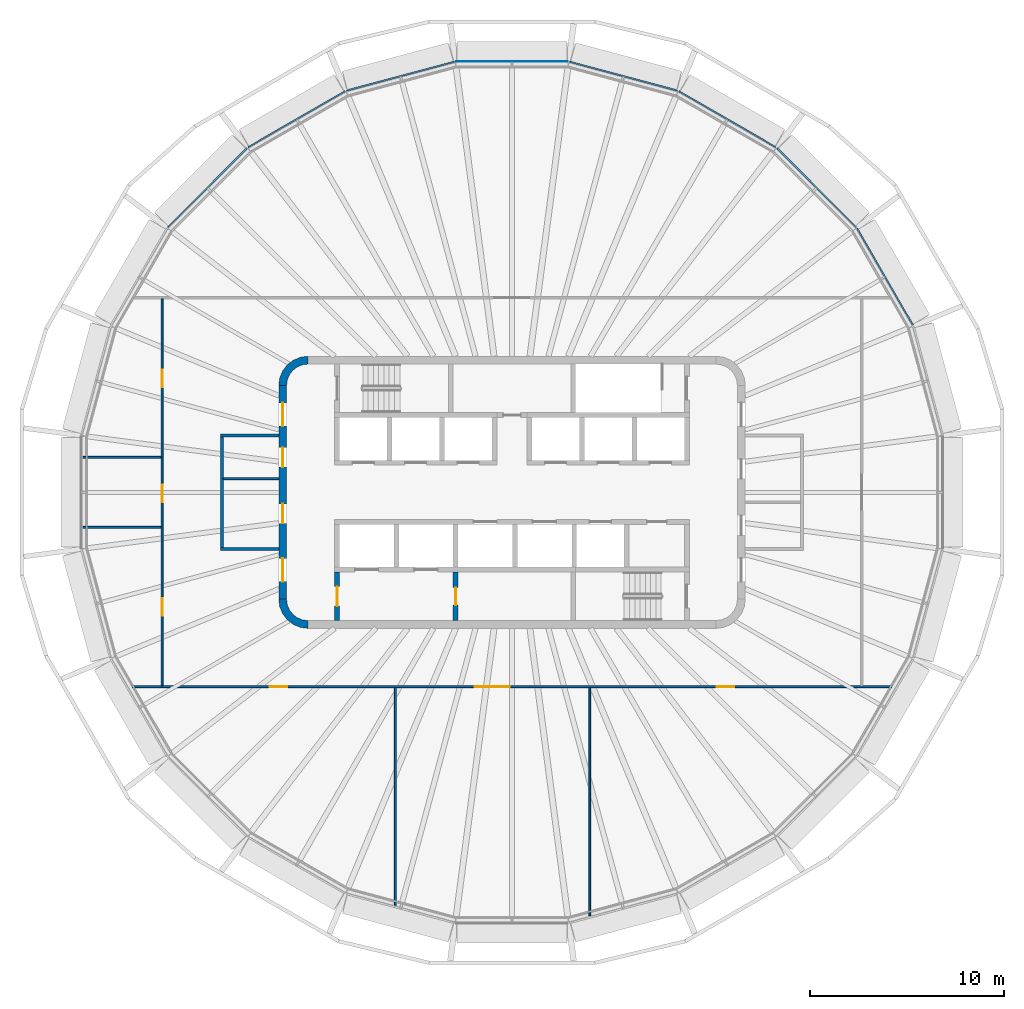
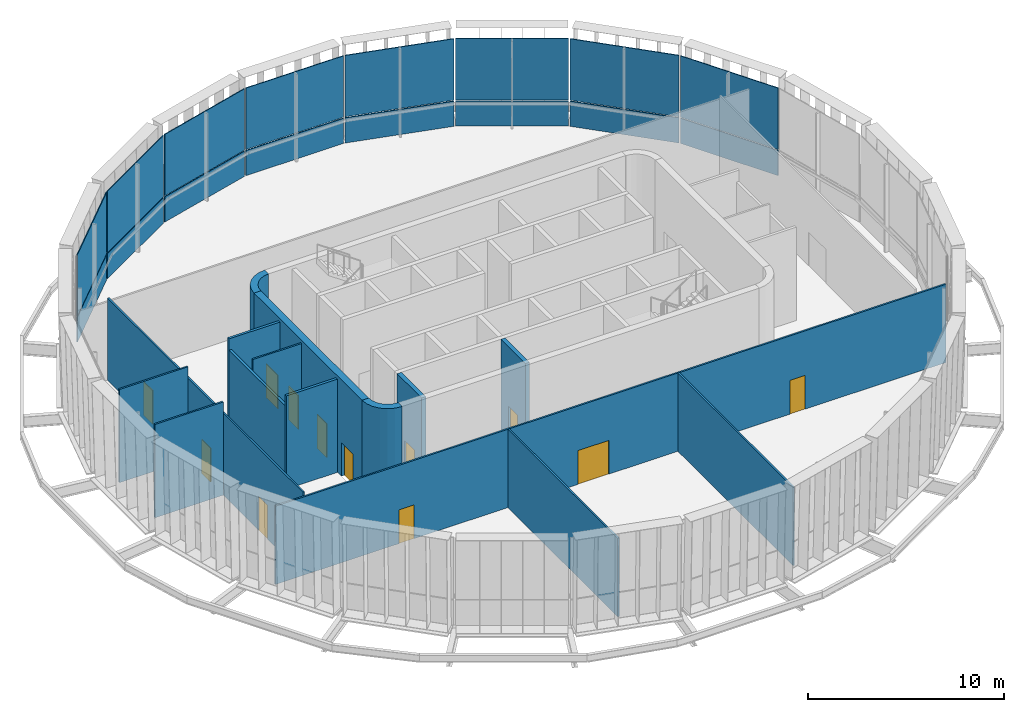
# One storey, part 6 of 14: 16 plates, 15 walls, 12 doors, 12 openings, 8 elements without a shape of their own.
"""IFC4 building model written with IfcOpenShell, lengths in metres."""

from ifc_helpers import new_model, si_unit, direction, frame, frame_2d, origin, place, context, subcontext, project, spatial, polyline, rectangle, outline, extrude, material, layer, layer_set, type_object, element, fill, aggregate, save


model = new_model("IFC4")

# Units and contexts
model_context = context("Model", 3, precision=1e-05, world=origin(), true_north=direction((0.0, 1.0)))
body_context = subcontext(model_context, "Body", "Model", "MODEL_VIEW")
ifc_project = project(units=[si_unit("LENGTHUNIT", "METRE"), si_unit("AREAUNIT", "SQUARE_METRE"), si_unit("VOLUMEUNIT", "CUBIC_METRE"), si_unit("PLANEANGLEUNIT", "RADIAN"), si_unit("MASSUNIT", "GRAM", prefix="KILO")], contexts=[model_context])

# Site, building, storey
site_placement = place(None, origin())
site = spatial("IfcSite", under=ifc_project, at=site_placement, CompositionType="ELEMENT")
building_placement = place(site_placement, origin())
building = spatial("IfcBuilding", under=site, at=building_placement, Name="Sahrelin Media Tower", CompositionType="ELEMENT")
storey_placement = place(building_placement, frame((0.0, 0.0, 329.800048828125)))
storey = spatial("IfcBuildingStorey", under=building, at=storey_placement, Name="L73", CompositionType="ELEMENT", Elevation=329.800048828125)

# Curtain wall, plates
ifc_material_1 = material(Name="Champagne anodised aluminium 6063-T6", Category="aluminium")
ifc_layer_1 = layer(ifc_material_1, 0.14990234375)
ifc_layer_set_1 = layer_set([ifc_layer_1], Name="Observation curtain wall")
curtain_wall_type = type_object("IfcCurtainWallType", Name="Observation curtain wall", PredefinedType="NOTDEFINED", material=ifc_layer_set_1)
curtain_wall_1_placement = place(storey_placement, frame((19.200439453125, 11.08544921875, 0.0), z_axis=(0.0, 0.0, 1.0), x_axis=(1.0, 0.0, 0.0)))
curtain_wall_1 = element("IfcCurtainWall", 1, at=curtain_wall_1_placement, inside=storey, type_object=curtain_wall_type, Name="L73:CW:L73-02", PredefinedType="NOTDEFINED")
ifc_material_2 = material(Name="Clear low-iron glazing", Category="glass")
ifc_layer_2 = layer(ifc_material_2, 0.050048828125)
ifc_layer_set_2 = layer_set([ifc_layer_2], Name="Glazing panel 50 mm CW3B")
plate_type = type_object("IfcPlateType", Name="Glazing panel 50 mm CW3B", PredefinedType="CURTAIN_PANEL", material=ifc_layer_set_2)
plate_1_placement = place(storey_placement, frame((20.652099609375, 8.61083984375, 0.0), z_axis=(0.866040328277, 0.49997414913, 0.0), x_axis=(-0.49997414913, 0.866040328277, 0.0)))
plate_1 = element("IfcPlate", 2, at=plate_1_placement, type_object=plate_type, Name="L73:CWP1:L73-02", PredefinedType="CURTAIN_PANEL", context=body_context, shape_type="SweptSolid", body=[
    extrude(outline(polyline([(0.0, 0.0), (5.737548828125, 0.0), (5.737548828125, 1.570068359375), (0.0, 1.570068359375), (0.0, 0.0)])), origin(), (0.0, 0.0, -1.0), 0.050048828125),
])
plate_2_placement = place(storey_placement, frame((20.652099609375, 8.61083984375, 1.6298828125), z_axis=(0.866040328277, 0.49997414913, 0.0), x_axis=(-0.49997414913, 0.866040328277, 0.0)))
plate_2 = element("IfcPlate", 3, at=plate_2_placement, type_object=plate_type, Name="L73:CWP2:L73-02", PredefinedType="CURTAIN_PANEL", context=body_context, shape_type="SweptSolid", body=[
    extrude(outline(polyline([(0.0, 0.0), (5.737548828125, 0.0), (5.737548828125, 3.818603515625), (0.0, 3.818603515625), (0.0, 0.0)])), origin(), (0.0, 0.0, -1.0), 0.050048828125),
])
aggregate(curtain_wall_1, [plate_1, plate_2])

curtain_wall_2_placement = place(storey_placement, frame((15.67724609375, 15.67724609375, 0.0), z_axis=(0.0, 0.0, 1.0), x_axis=(1.0, 0.0, 0.0)))
curtain_wall_2 = element("IfcCurtainWall", 4, at=curtain_wall_2_placement, inside=storey, type_object=curtain_wall_type, Name="L73:CW:L73-03", PredefinedType="NOTDEFINED")
plate_3_placement = place(storey_placement, frame((17.719970703125, 13.66259765625, 0.0), z_axis=(0.707106781187, 0.707106781187, 0.0), x_axis=(-0.707106781187, 0.707106781187, 0.0)))
plate_3 = element("IfcPlate", 5, at=plate_3_placement, type_object=plate_type, Name="L73:CWP1:L73-03", PredefinedType="CURTAIN_PANEL", context=body_context, shape_type="SweptSolid", body=[
    extrude(outline(polyline([(0.0, 0.0), (5.738037109375, 0.0), (5.738037109375, 1.570068359375), (0.0, 1.570068359375), (0.0, 0.0)])), origin(), (0.0, 0.0, -1.0), 0.050048828125),
])
plate_4_placement = place(storey_placement, frame((17.719970703125, 13.66259765625, 1.6298828125), z_axis=(0.707106781187, 0.707106781187, 0.0), x_axis=(-0.707106781187, 0.707106781187, 0.0)))
plate_4 = element("IfcPlate", 6, at=plate_4_placement, type_object=plate_type, Name="L73:CWP2:L73-03", PredefinedType="CURTAIN_PANEL", context=body_context, shape_type="SweptSolid", body=[
    extrude(outline(polyline([(0.0, 0.0), (5.738037109375, 0.0), (5.738037109375, 3.818603515625), (0.0, 3.818603515625), (0.0, 0.0)])), origin(), (0.0, 0.0, -1.0), 0.050048828125),
])
aggregate(curtain_wall_2, [plate_3, plate_4])

curtain_wall_3_placement = place(storey_placement, frame((11.08544921875, 19.200439453125, 0.0), z_axis=(0.0, 0.0, 1.0), x_axis=(1.0, 0.0, 0.0)))
curtain_wall_3 = element("IfcCurtainWall", 7, at=curtain_wall_3_placement, inside=storey, type_object=curtain_wall_type, Name="L73:CW:L73-04", PredefinedType="NOTDEFINED")
plate_5_placement = place(storey_placement, frame((13.579833984375, 17.783447265625, 0.0), z_axis=(0.49997414913, 0.866040328277, 0.0), x_axis=(-0.866040328277, 0.49997414913, 0.0)))
plate_5 = element("IfcPlate", 8, at=plate_5_placement, type_object=plate_type, Name="L73:CWP1:L73-04", PredefinedType="CURTAIN_PANEL", context=body_context, shape_type="SweptSolid", body=[
    extrude(outline(polyline([(0.0, 0.0), (5.737548828125, 0.0), (5.737548828125, 1.570068359375), (0.0, 1.570068359375), (0.0, 0.0)])), origin(), (0.0, 0.0, -1.0), 0.050048828125),
])
plate_6_placement = place(storey_placement, frame((13.579833984375, 17.783447265625, 1.6298828125), z_axis=(0.49997414913, 0.866040328277, 0.0), x_axis=(-0.866040328277, 0.49997414913, 0.0)))
plate_6 = element("IfcPlate", 9, at=plate_6_placement, type_object=plate_type, Name="L73:CWP2:L73-04", PredefinedType="CURTAIN_PANEL", context=body_context, shape_type="SweptSolid", body=[
    extrude(outline(polyline([(0.0, 0.0), (5.737548828125, 0.0), (5.737548828125, 3.818603515625), (0.0, 3.818603515625), (0.0, 0.0)])), origin(), (0.0, 0.0, -1.0), 0.050048828125),
])
aggregate(curtain_wall_3, [plate_5, plate_6])

curtain_wall_4_placement = place(storey_placement, frame((5.73828125, 21.415283203125, 0.0), z_axis=(0.0, 0.0, 1.0), x_axis=(1.0, 0.0, 0.0)))
curtain_wall_4 = element("IfcCurtainWall", 10, at=curtain_wall_4_placement, inside=storey, type_object=curtain_wall_type, Name="L73:CW:L73-05", PredefinedType="NOTDEFINED")
plate_7_placement = place(storey_placement, frame((8.514404296875, 20.692138671875, 0.0), z_axis=(0.258841012932, 0.965919939759, 0.0), x_axis=(-0.965919939759, 0.258841012932, 0.0)))
plate_7 = element("IfcPlate", 11, at=plate_7_placement, type_object=plate_type, Name="L73:CWP1:L73-05", PredefinedType="CURTAIN_PANEL", context=body_context, shape_type="SweptSolid", body=[
    extrude(outline(polyline([(0.0, 0.0), (5.737548828125, 0.0), (5.737548828125, 1.570068359375), (0.0, 1.570068359375), (0.0, 0.0)])), origin(), (0.0, 0.0, -1.0), 0.050048828125),
])
plate_8_placement = place(storey_placement, frame((8.514404296875, 20.692138671875, 1.6298828125), z_axis=(0.258841012932, 0.965919939759, 0.0), x_axis=(-0.965919939759, 0.258841012932, 0.0)))
plate_8 = element("IfcPlate", 12, at=plate_8_placement, type_object=plate_type, Name="L73:CWP2:L73-05", PredefinedType="CURTAIN_PANEL", context=body_context, shape_type="SweptSolid", body=[
    extrude(outline(polyline([(0.0, 0.0), (5.737548828125, 0.0), (5.737548828125, 3.818603515625), (0.0, 3.818603515625), (0.0, 0.0)])), origin(), (0.0, 0.0, -1.0), 0.050048828125),
])
aggregate(curtain_wall_4, [plate_7, plate_8])

curtain_wall_5_placement = place(storey_placement, frame((0.0, 22.1708984375, 0.0), z_axis=(0.0, 0.0, 1.0), x_axis=(1.0, 0.0, 0.0)))
curtain_wall_5 = element("IfcCurtainWall", 13, at=curtain_wall_5_placement, inside=storey, type_object=curtain_wall_type, Name="L73:CW:L73-06", PredefinedType="NOTDEFINED")
plate_9_placement = place(storey_placement, frame((2.868896484375, 22.19091796875, 0.0), z_axis=(0.0, 1.0, 0.0), x_axis=(-1.0, 0.0, 0.0)))
plate_9 = element("IfcPlate", 14, at=plate_9_placement, type_object=plate_type, Name="L73:CWP1:L73-06", PredefinedType="CURTAIN_PANEL", context=body_context, shape_type="SweptSolid", body=[
    extrude(outline(polyline([(0.0, 0.0), (5.73779296875, 0.0), (5.73779296875, 1.570068359375), (0.0, 1.570068359375), (0.0, 0.0)])), origin(), (0.0, 0.0, -1.0), 0.050048828125),
])
plate_10_placement = place(storey_placement, frame((2.868896484375, 22.19091796875, 1.6298828125), z_axis=(0.0, 1.0, 0.0), x_axis=(-1.0, 0.0, 0.0)))
plate_10 = element("IfcPlate", 15, at=plate_10_placement, type_object=plate_type, Name="L73:CWP2:L73-06", PredefinedType="CURTAIN_PANEL", context=body_context, shape_type="SweptSolid", body=[
    extrude(outline(polyline([(0.0, 0.0), (5.73779296875, 0.0), (5.73779296875, 3.818603515625), (0.0, 3.818603515625), (0.0, 0.0)])), origin(), (0.0, 0.0, -1.0), 0.050048828125),
])
aggregate(curtain_wall_5, [plate_9, plate_10])

curtain_wall_6_placement = place(storey_placement, frame((-5.73828125, 21.415283203125, 0.0), z_axis=(0.0, 0.0, 1.0), x_axis=(1.0, 0.0, 0.0)))
curtain_wall_6 = element("IfcCurtainWall", 16, at=curtain_wall_6_placement, inside=storey, type_object=curtain_wall_type, Name="L73:CW:L73-07", PredefinedType="NOTDEFINED")
plate_11_placement = place(storey_placement, frame((-2.972412109375, 22.17724609375, 0.0), z_axis=(-0.258841012932, 0.965919939759, 0.0), x_axis=(-0.965919939759, -0.258841012932, 0.0)))
plate_11 = element("IfcPlate", 17, at=plate_11_placement, type_object=plate_type, Name="L73:CWP1:L73-07", PredefinedType="CURTAIN_PANEL", context=body_context, shape_type="SweptSolid", body=[
    extrude(outline(polyline([(0.0, 0.0), (5.737548828125, 0.0), (5.737548828125, 1.570068359375), (0.0, 1.570068359375), (0.0, 0.0)])), origin(), (0.0, 0.0, -1.0), 0.050048828125),
])
plate_12_placement = place(storey_placement, frame((-2.972412109375, 22.17724609375, 1.6298828125), z_axis=(-0.258841012932, 0.965919939759, 0.0), x_axis=(-0.965919939759, -0.258841012932, 0.0)))
plate_12 = element("IfcPlate", 18, at=plate_12_placement, type_object=plate_type, Name="L73:CWP2:L73-07", PredefinedType="CURTAIN_PANEL", context=body_context, shape_type="SweptSolid", body=[
    extrude(outline(polyline([(0.0, 0.0), (5.737548828125, 0.0), (5.737548828125, 3.818603515625), (0.0, 3.818603515625), (0.0, 0.0)])), origin(), (0.0, 0.0, -1.0), 0.050048828125),
])
aggregate(curtain_wall_6, [plate_11, plate_12])

curtain_wall_7_placement = place(storey_placement, frame((-11.08544921875, 19.200439453125, 0.0), z_axis=(0.0, 0.0, 1.0), x_axis=(1.0, 0.0, 0.0)))
curtain_wall_7 = element("IfcCurtainWall", 19, at=curtain_wall_7_placement, inside=storey, type_object=curtain_wall_type, Name="L73:CW:L73-08", PredefinedType="NOTDEFINED")
plate_13_placement = place(storey_placement, frame((-8.61083984375, 20.652099609375, 0.0), z_axis=(-0.49997414913, 0.866040328277, 0.0), x_axis=(-0.866040328277, -0.49997414913, 0.0)))
plate_13 = element("IfcPlate", 20, at=plate_13_placement, type_object=plate_type, Name="L73:CWP1:L73-08", PredefinedType="CURTAIN_PANEL", context=body_context, shape_type="SweptSolid", body=[
    extrude(outline(polyline([(0.0, 0.0), (5.737548828125, 0.0), (5.737548828125, 1.570068359375), (0.0, 1.570068359375), (0.0, 0.0)])), origin(), (0.0, 0.0, -1.0), 0.050048828125),
])
plate_14_placement = place(storey_placement, frame((-8.61083984375, 20.652099609375, 1.6298828125), z_axis=(-0.49997414913, 0.866040328277, 0.0), x_axis=(-0.866040328277, -0.49997414913, 0.0)))
plate_14 = element("IfcPlate", 21, at=plate_14_placement, type_object=plate_type, Name="L73:CWP2:L73-08", PredefinedType="CURTAIN_PANEL", context=body_context, shape_type="SweptSolid", body=[
    extrude(outline(polyline([(0.0, 0.0), (5.737548828125, 0.0), (5.737548828125, 3.818603515625), (0.0, 3.818603515625), (0.0, 0.0)])), origin(), (0.0, 0.0, -1.0), 0.050048828125),
])
aggregate(curtain_wall_7, [plate_13, plate_14])

curtain_wall_8_placement = place(storey_placement, frame((-15.677001953125, 15.677001953125, 0.0), z_axis=(0.0, 0.0, 1.0), x_axis=(1.0, 0.0, 0.0)))
curtain_wall_8 = element("IfcCurtainWall", 22, at=curtain_wall_8_placement, inside=storey, type_object=curtain_wall_type, Name="L73:CW:L73-09", PredefinedType="NOTDEFINED")
plate_15_placement = place(storey_placement, frame((-13.66259765625, 17.719970703125, 0.0), z_axis=(-0.707106781187, 0.707106781187, 0.0), x_axis=(-0.707106781187, -0.707106781187, 0.0)))
plate_15 = element("IfcPlate", 23, at=plate_15_placement, type_object=plate_type, Name="L73:CWP1:L73-09", PredefinedType="CURTAIN_PANEL", context=body_context, shape_type="SweptSolid", body=[
    extrude(outline(polyline([(0.0, 0.0), (5.738037109375, 0.0), (5.738037109375, 1.570068359375), (0.0, 1.570068359375), (0.0, 0.0)])), origin(), (0.0, 0.0, -1.0), 0.050048828125),
])
plate_16_placement = place(storey_placement, frame((-13.66259765625, 17.719970703125, 1.6298828125), z_axis=(-0.707106781187, 0.707106781187, 0.0), x_axis=(-0.707106781187, -0.707106781187, 0.0)))
plate_16 = element("IfcPlate", 24, at=plate_16_placement, type_object=plate_type, Name="L73:CWP2:L73-09", PredefinedType="CURTAIN_PANEL", context=body_context, shape_type="SweptSolid", body=[
    extrude(outline(polyline([(0.0, 0.0), (5.738037109375, 0.0), (5.738037109375, 3.818603515625), (0.0, 3.818603515625), (0.0, 0.0)])), origin(), (0.0, 0.0, -1.0), 0.050048828125),
])
aggregate(curtain_wall_8, [plate_15, plate_16])

# Wall, openings, doors
ifc_material_3 = material(Name="Concrete C60/75", Category="concrete")
ifc_layer_3 = layer(ifc_material_3, 0.39990234375)
ifc_layer_set_3 = layer_set([ifc_layer_3], Name="Core wall 400")
wall_type_1 = type_object("IfcWallType", Name="Core wall 400", PredefinedType="SHEAR", material=ifc_layer_set_3)
wall_1_placement = place(storey_placement, frame((-11.800048828125, -5.5, 0.0), z_axis=(0.0, 0.0, 1.0), x_axis=(0.0, 1.0, 0.0)))
wall_1 = element("IfcWall", 25, at=wall_1_placement, inside=storey, type_object=wall_type_1, Name="Core wall W L73", PredefinedType="SHEAR", context=body_context, shape_type="SweptSolid", body=[
    extrude(rectangle(XDim=11.0, YDim=0.39990234375, at=frame_2d((5.5, 0.0))), origin(), (0.0, 0.0, 1.0), 6.0),
])
opening_1_placement = place(wall_1_placement, frame((3.89990234375, 0.0, 0.0)))
opening_1 = element("IfcOpeningElement", 26, at=opening_1_placement, cuts=wall_1, Name="Opening L73-D08", PredefinedType="OPENING", context=body_context, shape_type="SweptSolid", body=[
    extrude(rectangle(XDim=1.0, YDim=2.10009765625, at=frame_2d((0.5, 1.050048828125))), frame((0.0, 0.199951171875, 0.0), z_axis=(0.0, -1.0, 0.0), x_axis=(1.0, 0.0, 0.0)), (0.0, 0.0, 1.0), 0.39990234375),
])
opening_2_placement = place(wall_1_placement, frame((6.800048828125, 0.0, 0.0)))
opening_2 = element("IfcOpeningElement", 27, at=opening_2_placement, cuts=wall_1, Name="Opening L73-D09", PredefinedType="OPENING", context=body_context, shape_type="SweptSolid", body=[
    extrude(rectangle(XDim=1.0, YDim=2.10009765625, at=frame_2d((0.5, 1.050048828125))), frame((0.0, 0.199951171875, 0.0), z_axis=(0.0, -1.0, 0.0), x_axis=(1.0, 0.0, 0.0)), (0.0, 0.0, 1.0), 0.39990234375),
])
opening_3_placement = place(wall_1_placement, frame((0.89990234375, 0.0, 0.0)))
opening_3 = element("IfcOpeningElement", 28, at=opening_3_placement, cuts=wall_1, Name="Opening L73-D12", PredefinedType="OPENING", context=body_context, shape_type="SweptSolid", body=[
    extrude(rectangle(XDim=1.199951171875, YDim=2.10009765625, at=frame_2d((0.60009765625, 1.050048828125))), frame((0.0, 0.199951171875, 0.0), z_axis=(0.0, -1.0, 0.0), x_axis=(1.0, 0.0, 0.0)), (0.0, 0.0, 1.0), 0.39990234375),
])
opening_4_placement = place(wall_1_placement, frame((8.89990234375, 0.0, 0.0)))
opening_4 = element("IfcOpeningElement", 29, at=opening_4_placement, cuts=wall_1, Name="Opening L73-D13", PredefinedType="OPENING", context=body_context, shape_type="SweptSolid", body=[
    extrude(rectangle(XDim=1.199951171875, YDim=2.10009765625, at=frame_2d((0.60009765625, 1.050048828125))), frame((0.0, 0.199951171875, 0.0), z_axis=(0.0, -1.0, 0.0), x_axis=(1.0, 0.0, 0.0)), (0.0, 0.0, 1.0), 0.39990234375),
])
ifc_material_4 = material(Name="Steel fire door leaf", Category="steel")
door_type_1 = type_object("IfcDoorType", Name="Fire door 1000 x 2100 EI 60", OperationType="NOTDEFINED", PredefinedType="DOOR", material=ifc_material_4)
door_1_placement = place(opening_1_placement, origin())
door_1 = element("IfcDoor", 30, at=door_1_placement, inside=storey, type_object=door_type_1, Name="Core room door", OperationType="SINGLE_SWING_RIGHT", OverallHeight=2.10009765625, OverallWidth=1.0, PredefinedType="DOOR", context=body_context, shape_type="SweptSolid", body=[
    extrude(rectangle(XDim=1.0, YDim=2.10009765625, at=frame_2d((0.5, 1.050048828125))), frame((0.0, 0.02490234375, 0.0), z_axis=(0.0, -1.0, 0.0), x_axis=(1.0, 0.0, 0.0)), (0.0, 0.0, 1.0), 0.050048828125),
])
fill(opening_1, door_1)
door_2_placement = place(opening_2_placement, origin())
door_2 = element("IfcDoor", 31, at=door_2_placement, inside=storey, type_object=door_type_1, Name="Core room door", OperationType="SINGLE_SWING_RIGHT", OverallHeight=2.10009765625, OverallWidth=1.0, PredefinedType="DOOR", context=body_context, shape_type="SweptSolid", body=[
    extrude(rectangle(XDim=1.0, YDim=2.10009765625, at=frame_2d((0.5, 1.050048828125))), frame((0.0, 0.02490234375, 0.0), z_axis=(0.0, -1.0, 0.0), x_axis=(1.0, 0.0, 0.0)), (0.0, 0.0, 1.0), 0.050048828125),
])
fill(opening_2, door_2)
door_type_2 = type_object("IfcDoorType", Name="Lobby door 1200 x 2100 EI 60", OperationType="NOTDEFINED", PredefinedType="DOOR", material=ifc_material_4)
door_3_placement = place(opening_3_placement, origin())
door_3 = element("IfcDoor", 32, at=door_3_placement, inside=storey, type_object=door_type_2, Name="Lobby door", OperationType="SINGLE_SWING_LEFT", OverallHeight=2.10009765625, OverallWidth=1.199951171875, PredefinedType="DOOR", context=body_context, shape_type="SweptSolid", body=[
    extrude(rectangle(XDim=1.199951171875, YDim=2.10009765625, at=frame_2d((0.60009765625, 1.050048828125))), frame((0.0, 0.02490234375, 0.0), z_axis=(0.0, -1.0, 0.0), x_axis=(1.0, 0.0, 0.0)), (0.0, 0.0, 1.0), 0.050048828125),
])
fill(opening_3, door_3)
door_4_placement = place(opening_4_placement, origin())
door_4 = element("IfcDoor", 33, at=door_4_placement, inside=storey, type_object=door_type_2, Name="Lobby door", OperationType="SINGLE_SWING_LEFT", OverallHeight=2.10009765625, OverallWidth=1.199951171875, PredefinedType="DOOR", context=body_context, shape_type="SweptSolid", body=[
    extrude(rectangle(XDim=1.199951171875, YDim=2.10009765625, at=frame_2d((0.60009765625, 1.050048828125))), frame((0.0, 0.02490234375, 0.0), z_axis=(0.0, -1.0, 0.0), x_axis=(1.0, 0.0, 0.0)), (0.0, 0.0, 1.0), 0.050048828125),
])
fill(opening_4, door_4)

# Walls
placement = place(storey_placement, origin())
element("IfcWall", 34, at=placement, inside=storey, type_object=wall_type_1, Name="Core wall corner NW L73", PredefinedType="SHEAR", context=body_context, shape_type="SweptSolid", body=[
    extrude(outline(polyline([(-12.0, 5.5), (-11.596435546875, 5.5), (-11.55908203125, 5.78369140625), (-11.44970703125, 6.04833984375), (-11.275390625, 6.275390625), (-11.04833984375, 6.44970703125), (-10.78369140625, 6.55908203125), (-10.5, 6.596435546875), (-10.5, 7.0), (-10.88818359375, 6.948974609375), (-11.25, 6.799072265625), (-11.560791015625, 6.560791015625), (-11.799072265625, 6.25), (-11.948974609375, 5.88818359375), (-12.0, 5.5)])), origin(), (0.0, 0.0, 1.0), 6.0),
])
element("IfcWall", 35, at=placement, inside=storey, type_object=wall_type_1, Name="Core wall corner SW L73", PredefinedType="SHEAR", context=body_context, shape_type="SweptSolid", body=[
    extrude(outline(polyline([(-10.5, -7.0), (-10.5, -6.596435546875), (-10.78369140625, -6.55908203125), (-11.04833984375, -6.44970703125), (-11.275390625, -6.275390625), (-11.44970703125, -6.04833984375), (-11.55908203125, -5.78369140625), (-11.596435546875, -5.5), (-12.0, -5.5), (-11.948974609375, -5.88818359375), (-11.799072265625, -6.25), (-11.560791015625, -6.560791015625), (-11.25, -6.799072265625), (-10.88818359375, -6.948974609375), (-10.5, -7.0)])), origin(), (0.0, 0.0, 1.0), 6.0),
])
ifc_material_5 = material(Name="Fire-rated gypsum board partition")
ifc_layer_4 = layer(ifc_material_5, 0.10009765625)
ifc_layer_set_4 = layer_set([ifc_layer_4], Name="Fire-rated partition 100")
wall_type_2 = type_object("IfcWallType", Name="Fire-rated partition 100", PredefinedType="PARTITIONING", material=ifc_layer_set_4)
wall_4_placement = place(storey_placement, frame((-14.85009765625, 0.699951171875, 0.0), z_axis=(0.0, 0.0, 1.0), x_axis=(1.0, 0.0, 0.0)))
element("IfcWall", 36, at=wall_4_placement, inside=storey, type_object=wall_type_2, Name="Core room partition", PredefinedType="PARTITIONING", context=body_context, shape_type="SweptSolid", body=[
    extrude(rectangle(XDim=2.85009765625, YDim=0.10009765625, at=frame_2d((1.425048828125, 0.0))), origin(), (0.0, 0.0, 1.0), 5.800048828125),
])
ifc_layer_5 = layer(ifc_material_5, 0.14990234375)
ifc_layer_set_5 = layer_set([ifc_layer_5], Name="Fire-rated partition 150")
wall_type_3 = type_object("IfcWallType", Name="Fire-rated partition 150", PredefinedType="PARTITIONING", material=ifc_layer_set_5)
wall_5_placement = place(storey_placement, frame((-14.925048828125, -2.85009765625, 0.0), z_axis=(0.0, 0.0, 1.0), x_axis=(0.0, 1.0, 0.0)))
element("IfcWall", 37, at=wall_5_placement, inside=storey, type_object=wall_type_3, Name="Core room fire partition", PredefinedType="PARTITIONING", context=body_context, shape_type="SweptSolid", body=[
    extrude(rectangle(XDim=5.7001953125, YDim=0.14990234375, at=frame_2d((2.85009765625, 0.0))), origin(), (0.0, 0.0, 1.0), 5.10205078125),
])
for number, where, z_axis, x_axis, name in (
    (38, (-15.0, 2.925048828125, 0.0), (0.0, 0.0, 1.0), (1.0, 0.0, 0.0), "Core room fire partition"),
    (39, (-15.0, -2.925048828125, 0.0), (0.0, 0.0, 1.0), (1.0, 0.0, 0.0), "Core room fire partition"),
):
    element("IfcWall", number, at=place(storey_placement, frame(where, z_axis=z_axis, x_axis=x_axis)), inside=storey, type_object=wall_type_3, Name=name, PredefinedType="PARTITIONING", context=body_context, shape_type="SweptSolid", body=[
        extrude(rectangle(XDim=3.0, YDim=0.14990234375, at=frame_2d((1.5, 0.0))), origin(), (0.0, 0.0, 1.0), 5.800048828125),
    ])

# Wall, opening, door
ifc_layer_6 = layer(ifc_material_5, 0.25)
ifc_layer_set_6 = layer_set([ifc_layer_6], Name="Firefighting lobby wall 250")
wall_type_4 = type_object("IfcWallType", Name="Firefighting lobby wall 250", PredefinedType="PARTITIONING", material=ifc_layer_set_6)
wall_6_placement = place(storey_placement, frame((-9.0, -6.60009765625, 0.0), z_axis=(0.0, 0.0, 1.0), x_axis=(0.0, 1.0, 0.0)))
wall_6 = element("IfcWall", 40, at=wall_6_placement, inside=storey, type_object=wall_type_4, Name="Core wall", PredefinedType="PARTITIONING", context=body_context, shape_type="SweptSolid", body=[
    extrude(rectangle(XDim=2.5, YDim=0.25, at=frame_2d((1.25, 0.0))), origin(), (0.0, 0.0, 1.0), 5.800048828125),
])
opening_5_placement = place(wall_6_placement, frame((0.75, 0.0, 0.0)))
opening_5 = element("IfcOpeningElement", 41, at=opening_5_placement, cuts=wall_6, Name="Opening L73-D04", PredefinedType="OPENING", context=body_context, shape_type="SweptSolid", body=[
    extrude(rectangle(XDim=1.0, YDim=2.10009765625, at=frame_2d((0.5, 1.050048828125))), frame((0.0, 0.125, 0.0), z_axis=(0.0, -1.0, 0.0), x_axis=(1.0, 0.0, 0.0)), (0.0, 0.0, 1.0), 0.25),
])
door_type_3 = type_object("IfcDoorType", Name="Firefighting lobby door 1000 x 2100 EI 120", OperationType="NOTDEFINED", PredefinedType="DOOR", material=ifc_material_4)
door_5_placement = place(opening_5_placement, origin())
door_5 = element("IfcDoor", 42, at=door_5_placement, inside=storey, type_object=door_type_3, Name="Firefighting lobby door", OperationType="SINGLE_SWING_LEFT", OverallHeight=2.10009765625, OverallWidth=1.0, PredefinedType="DOOR", context=body_context, shape_type="SweptSolid", body=[
    extrude(rectangle(XDim=1.0, YDim=2.10009765625, at=frame_2d((0.5, 1.050048828125))), frame((0.0, 0.02490234375, 0.0), z_axis=(0.0, -1.0, 0.0), x_axis=(1.0, 0.0, 0.0)), (0.0, 0.0, 1.0), 0.050048828125),
])
fill(opening_5, door_5)

wall_7_placement = place(storey_placement, frame((-2.89990234375, -6.60009765625, 0.0), z_axis=(0.0, 0.0, 1.0), x_axis=(0.0, 1.0, 0.0)))
wall_7 = element("IfcWall", 43, at=wall_7_placement, inside=storey, type_object=wall_type_4, Name="Core wall", PredefinedType="PARTITIONING", context=body_context, shape_type="SweptSolid", body=[
    extrude(rectangle(XDim=2.5, YDim=0.25, at=frame_2d((1.25, 0.0))), origin(), (0.0, 0.0, 1.0), 5.800048828125),
])
opening_6_placement = place(wall_7_placement, frame((0.800048828125, 0.0, 0.0)))
opening_6 = element("IfcOpeningElement", 44, at=opening_6_placement, cuts=wall_7, Name="Opening L73-D05", PredefinedType="OPENING", context=body_context, shape_type="SweptSolid", body=[
    extrude(rectangle(XDim=0.89990234375, YDim=2.10009765625, at=frame_2d((0.449951171875, 1.050048828125))), frame((0.0, 0.125, 0.0), z_axis=(0.0, -1.0, 0.0), x_axis=(1.0, 0.0, 0.0)), (0.0, 0.0, 1.0), 0.25),
])
door_type_4 = type_object("IfcDoorType", Name="Firefighting lobby door 900 x 2100 EI 120", OperationType="NOTDEFINED", PredefinedType="DOOR", material=ifc_material_4)
door_6_placement = place(opening_6_placement, origin())
door_6 = element("IfcDoor", 45, at=door_6_placement, inside=storey, type_object=door_type_4, Name="Riser door", OperationType="SINGLE_SWING_RIGHT", OverallHeight=2.10009765625, OverallWidth=0.89990234375, PredefinedType="DOOR", context=body_context, shape_type="SweptSolid", body=[
    extrude(rectangle(XDim=0.89990234375, YDim=2.10009765625, at=frame_2d((0.449951171875, 1.050048828125))), frame((0.0, 0.02490234375, 0.0), z_axis=(0.0, -1.0, 0.0), x_axis=(1.0, 0.0, 0.0)), (0.0, 0.0, 1.0), 0.050048828125),
])
fill(opening_6, door_6)

# Wall, openings, doors
ifc_material_6 = material(Name="Gypsum board partition")
ifc_layer_7 = layer(ifc_material_6, 0.10009765625)
ifc_layer_set_7 = layer_set([ifc_layer_7], Name="Partition 100")
wall_type_5 = type_object("IfcWallType", Name="Partition 100", PredefinedType="PARTITIONING", material=ifc_layer_set_7)
wall_8_placement = place(storey_placement, frame((-19.711669921875, -10.0, 0.0), z_axis=(0.0, 0.0, 1.0), x_axis=(1.0, 0.0, 0.0)))
wall_8 = element("IfcWall", 46, at=wall_8_placement, inside=storey, type_object=wall_type_5, Name="Wall", PredefinedType="PARTITIONING", context=body_context, shape_type="SweptSolid", body=[
    extrude(rectangle(XDim=39.42333984375, YDim=0.10009765625, at=frame_2d((19.711669921875, 0.0))), origin(), (0.0, 0.0, 1.0), 4.8681640625),
])
opening_7_placement = place(wall_8_placement, frame((7.25, 0.0, 0.0)))
opening_7 = element("IfcOpeningElement", 47, at=opening_7_placement, cuts=wall_8, Name="Opening L73-D17", PredefinedType="OPENING", context=body_context, shape_type="SweptSolid", body=[
    extrude(rectangle(XDim=0.89990234375, YDim=2.10009765625, at=frame_2d((0.449951171875, 1.050048828125))), frame((0.0, 0.050048828125, 0.0), z_axis=(0.0, -1.0, 0.0), x_axis=(1.0, 0.0, 0.0)), (0.0, 0.0, 1.0), 0.10009765625),
])
opening_8_placement = place(wall_8_placement, frame((17.800048828125, 0.0, 0.0)))
opening_8 = element("IfcOpeningElement", 48, at=opening_8_placement, cuts=wall_8, Name="Opening L73-D18", PredefinedType="OPENING", context=body_context, shape_type="SweptSolid", body=[
    extrude(rectangle(XDim=1.800048828125, YDim=2.10009765625, at=frame_2d((0.89990234375, 1.050048828125))), frame((0.0, 0.050048828125, 0.0), z_axis=(0.0, -1.0, 0.0), x_axis=(1.0, 0.0, 0.0)), (0.0, 0.0, 1.0), 0.10009765625),
])
opening_9_placement = place(wall_8_placement, frame((30.25, 0.0, 0.0)))
opening_9 = element("IfcOpeningElement", 49, at=opening_9_placement, cuts=wall_8, Name="Opening L73-D19", PredefinedType="OPENING", context=body_context, shape_type="SweptSolid", body=[
    extrude(rectangle(XDim=0.89990234375, YDim=2.10009765625, at=frame_2d((0.449951171875, 1.050048828125))), frame((0.0, 0.050048828125, 0.0), z_axis=(0.0, -1.0, 0.0), x_axis=(1.0, 0.0, 0.0)), (0.0, 0.0, 1.0), 0.10009765625),
])
ifc_material_7 = material(Name="Timber door leaf", Category="wood")
door_type_5 = type_object("IfcDoorType", Name="Double door 1800 x 2100", OperationType="DOUBLE_DOOR_SINGLE_SWING", PredefinedType="DOOR", material=ifc_material_7)
door_7_placement = place(opening_8_placement, origin())
door_7 = element("IfcDoor", 50, at=door_7_placement, inside=storey, type_object=door_type_5, Name="Double door", OperationType="DOUBLE_DOOR_SINGLE_SWING", OverallHeight=2.10009765625, OverallWidth=1.800048828125, PredefinedType="DOOR", context=body_context, shape_type="SweptSolid", body=[
    extrude(rectangle(XDim=1.800048828125, YDim=2.10009765625, at=frame_2d((0.89990234375, 1.050048828125))), frame((0.0, 0.02490234375, 0.0), z_axis=(0.0, -1.0, 0.0), x_axis=(1.0, 0.0, 0.0)), (0.0, 0.0, 1.0), 0.050048828125),
])
fill(opening_8, door_7)
door_type_6 = type_object("IfcDoorType", Name="Single door 900 x 2100", OperationType="NOTDEFINED", PredefinedType="DOOR", material=ifc_material_7)
door_8_placement = place(opening_7_placement, origin())
door_8 = element("IfcDoor", 51, at=door_8_placement, inside=storey, type_object=door_type_6, Name="Single door", OperationType="SINGLE_SWING_LEFT", OverallHeight=2.10009765625, OverallWidth=0.89990234375, PredefinedType="DOOR", context=body_context, shape_type="SweptSolid", body=[
    extrude(rectangle(XDim=0.89990234375, YDim=2.10009765625, at=frame_2d((0.449951171875, 1.050048828125))), frame((0.0, 0.02490234375, 0.0), z_axis=(0.0, -1.0, 0.0), x_axis=(1.0, 0.0, 0.0)), (0.0, 0.0, 1.0), 0.050048828125),
])
fill(opening_7, door_8)
door_9_placement = place(opening_9_placement, origin())
door_9 = element("IfcDoor", 52, at=door_9_placement, inside=storey, type_object=door_type_6, Name="Single door", OperationType="SINGLE_SWING_RIGHT", OverallHeight=2.10009765625, OverallWidth=0.89990234375, PredefinedType="DOOR", context=body_context, shape_type="SweptSolid", body=[
    extrude(rectangle(XDim=0.89990234375, YDim=2.10009765625, at=frame_2d((0.449951171875, 1.050048828125))), frame((0.0, 0.02490234375, 0.0), z_axis=(0.0, -1.0, 0.0), x_axis=(1.0, 0.0, 0.0)), (0.0, 0.0, 1.0), 0.050048828125),
])
fill(opening_9, door_9)

wall_9_placement = place(storey_placement, frame((-18.0, -9.949951171875, 0.0), z_axis=(0.0, 0.0, 1.0), x_axis=(0.0, 1.0, 0.0)))
wall_9 = element("IfcWall", 53, at=wall_9_placement, inside=storey, type_object=wall_type_5, Name="Wall", PredefinedType="PARTITIONING", context=body_context, shape_type="SweptSolid", body=[
    extrude(rectangle(XDim=19.89990234375, YDim=0.10009765625, at=frame_2d((9.949951171875, 0.0))), origin(), (0.0, 0.0, 1.0), 5.10205078125),
])
opening_10_placement = place(wall_9_placement, frame((3.60009765625, 0.0, 0.0)))
opening_10 = element("IfcOpeningElement", 54, at=opening_10_placement, cuts=wall_9, Name="Opening L73-D21", PredefinedType="OPENING", context=body_context, shape_type="SweptSolid", body=[
    extrude(rectangle(XDim=0.89990234375, YDim=2.10009765625, at=frame_2d((0.449951171875, 1.050048828125))), frame((0.0, 0.050048828125, 0.0), z_axis=(0.0, -1.0, 0.0), x_axis=(1.0, 0.0, 0.0)), (0.0, 0.0, 1.0), 0.10009765625),
])
opening_11_placement = place(wall_9_placement, frame((9.449951171875, 0.0, 0.0)))
opening_11 = element("IfcOpeningElement", 55, at=opening_11_placement, cuts=wall_9, Name="Opening L73-D22", PredefinedType="OPENING", context=body_context, shape_type="SweptSolid", body=[
    extrude(rectangle(XDim=0.89990234375, YDim=2.10009765625, at=frame_2d((0.449951171875, 1.050048828125))), frame((0.0, 0.050048828125, 0.0), z_axis=(0.0, -1.0, 0.0), x_axis=(1.0, 0.0, 0.0)), (0.0, 0.0, 1.0), 0.10009765625),
])
opening_12_placement = place(wall_9_placement, frame((15.35009765625, 0.0, 0.0)))
opening_12 = element("IfcOpeningElement", 56, at=opening_12_placement, cuts=wall_9, Name="Opening L73-D23", PredefinedType="OPENING", context=body_context, shape_type="SweptSolid", body=[
    extrude(rectangle(XDim=0.89990234375, YDim=2.10009765625, at=frame_2d((0.449951171875, 1.050048828125))), frame((0.0, 0.050048828125, 0.0), z_axis=(0.0, -1.0, 0.0), x_axis=(1.0, 0.0, 0.0)), (0.0, 0.0, 1.0), 0.10009765625),
])
door_10_placement = place(opening_10_placement, origin())
door_10 = element("IfcDoor", 57, at=door_10_placement, inside=storey, type_object=door_type_6, Name="Single door", OperationType="SINGLE_SWING_LEFT", OverallHeight=2.10009765625, OverallWidth=0.89990234375, PredefinedType="DOOR", context=body_context, shape_type="SweptSolid", body=[
    extrude(rectangle(XDim=0.89990234375, YDim=2.10009765625, at=frame_2d((0.449951171875, 1.050048828125))), frame((0.0, 0.02490234375, 0.0), z_axis=(0.0, -1.0, 0.0), x_axis=(1.0, 0.0, 0.0)), (0.0, 0.0, 1.0), 0.050048828125),
])
fill(opening_10, door_10)
door_11_placement = place(opening_11_placement, origin())
door_11 = element("IfcDoor", 58, at=door_11_placement, inside=storey, type_object=door_type_6, Name="Single door", OperationType="SINGLE_SWING_LEFT", OverallHeight=2.10009765625, OverallWidth=0.89990234375, PredefinedType="DOOR", context=body_context, shape_type="SweptSolid", body=[
    extrude(rectangle(XDim=0.89990234375, YDim=2.10009765625, at=frame_2d((0.449951171875, 1.050048828125))), frame((0.0, 0.02490234375, 0.0), z_axis=(0.0, -1.0, 0.0), x_axis=(1.0, 0.0, 0.0)), (0.0, 0.0, 1.0), 0.050048828125),
])
fill(opening_11, door_11)
door_12_placement = place(opening_12_placement, origin())
door_12 = element("IfcDoor", 59, at=door_12_placement, inside=storey, type_object=door_type_6, Name="Single door", OperationType="SINGLE_SWING_RIGHT", OverallHeight=2.10009765625, OverallWidth=0.89990234375, PredefinedType="DOOR", context=body_context, shape_type="SweptSolid", body=[
    extrude(rectangle(XDim=0.89990234375, YDim=2.10009765625, at=frame_2d((0.449951171875, 1.050048828125))), frame((0.0, 0.02490234375, 0.0), z_axis=(0.0, -1.0, 0.0), x_axis=(1.0, 0.0, 0.0)), (0.0, 0.0, 1.0), 0.050048828125),
])
fill(opening_12, door_12)

# Walls
wall_10_placement = place(storey_placement, frame((-6.0, -10.050048828125, 0.0), z_axis=(0.0, 0.0, 1.0), x_axis=(0.0, -1.0, 0.0)))
element("IfcWall", 60, at=wall_10_placement, inside=storey, type_object=wall_type_5, Name="Wall", PredefinedType="PARTITIONING", context=body_context, shape_type="SweptSolid", body=[
    extrude(rectangle(XDim=11.191650390625, YDim=0.10009765625, at=frame_2d((5.595703125, 0.0))), origin(), (0.0, 0.0, 1.0), 4.876953125),
])
wall_11_placement = place(storey_placement, frame((4.0, -10.050048828125, 0.0), z_axis=(0.0, 0.0, 1.0), x_axis=(0.0, -1.0, 0.0)))
element("IfcWall", 61, at=wall_11_placement, inside=storey, type_object=wall_type_5, Name="Wall", PredefinedType="PARTITIONING", context=body_context, shape_type="SweptSolid", body=[
    extrude(rectangle(XDim=11.7275390625, YDim=0.10009765625, at=frame_2d((5.86376953125, 0.0))), origin(), (0.0, 0.0, 1.0), 4.8681640625),
])
for number, where, z_axis, x_axis, name in (
    (62, (-18.050048828125, -1.800048828125, 0.0), (0.0, 0.0, 1.0), (-1.0, 0.0, 0.0), "Wall"),
    (63, (-18.050048828125, 1.800048828125, 0.0), (0.0, 0.0, 1.0), (-1.0, 0.0, 0.0), "Wall"),
):
    element("IfcWall", number, at=place(storey_placement, frame(where, z_axis=z_axis, x_axis=x_axis)), inside=storey, type_object=wall_type_5, Name=name, PredefinedType="PARTITIONING", context=body_context, shape_type="SweptSolid", body=[
        extrude(rectangle(XDim=4.020751953125, YDim=0.10009765625, at=frame_2d((2.01025390625, 0.0))), origin(), (0.0, 0.0, 1.0), 5.800048828125),
    ])

save(model, "model.ifc")
